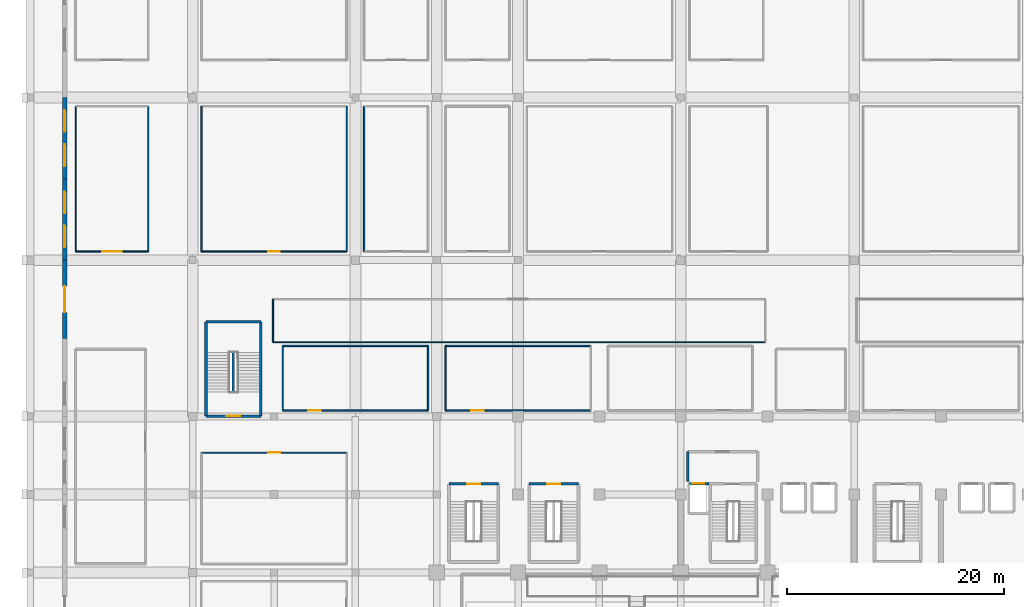
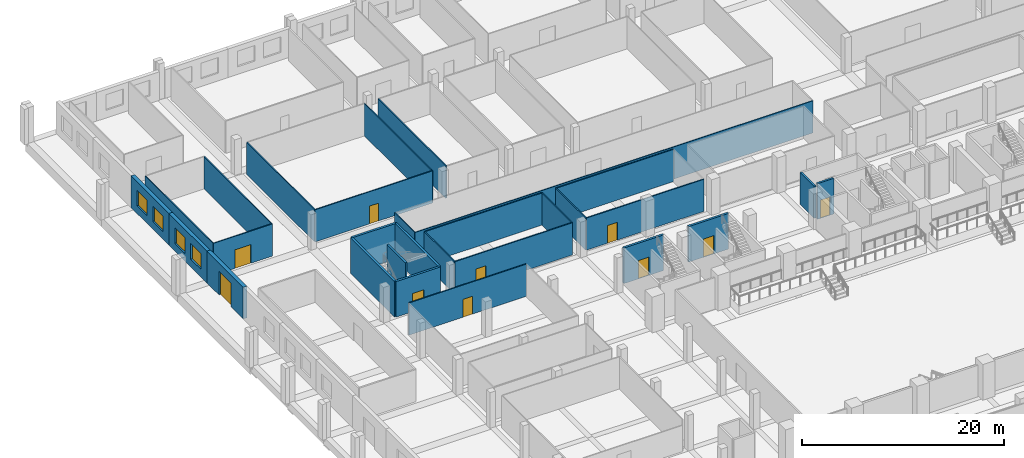
# One storey, part 16 of 33: 29 walls, 10 doors, 4 windows, 14 openings.
"""IFC4 building model written with IfcOpenShell, lengths in metres."""

from ifc_helpers import new_model, si_unit, direction, frame, frame_2d, origin, place, context, subcontext, project, spatial, rectangle, extrude, material, layer, layer_set, type_object, element, fill, save


model = new_model("IFC4")

# Units and contexts
model_context = context("Model", 3, precision=1e-05, world=origin(), true_north=direction((0.0, 1.0)))
body_context = subcontext(model_context, "Body", "Model", "MODEL_VIEW")
ifc_project = project(units=[si_unit("LENGTHUNIT", "METRE"), si_unit("AREAUNIT", "SQUARE_METRE"), si_unit("VOLUMEUNIT", "CUBIC_METRE"), si_unit("PLANEANGLEUNIT", "RADIAN"), si_unit("MASSUNIT", "GRAM", prefix="KILO")], contexts=[model_context])

# Site, building, storey
site_placement = place(None, origin())
site = spatial("IfcSite", under=ifc_project, at=site_placement, CompositionType="ELEMENT")
building_placement = place(site_placement, origin())
building = spatial("IfcBuilding", under=site, at=building_placement, Name="Akrevak Sports Hall", CompositionType="ELEMENT")
storey_placement = place(building_placement, origin())
storey = spatial("IfcBuildingStorey", under=building, at=storey_placement, Name="L00", CompositionType="ELEMENT", Elevation=0.0)

# Wall, opening, door
ifc_material_1 = material(Name="Limestone Ashlar", Category="stone")
ifc_layer_1 = layer(ifc_material_1, 0.090087890625, Name="Limestone Ashlar")
ifc_material_2 = material(Name="Mineral Wool Thermal Insulation", Category="insulation")
ifc_layer_2 = layer(ifc_material_2, 0.110107421875, Name="Mineral Wool Thermal Insulation")
ifc_material_3 = material(Name="Concrete C40/50", Category="concrete")
ifc_layer_3 = layer(ifc_material_3, 0.219970703125, Name="Concrete C40/50")
ifc_layer_set_1 = layer_set([ifc_layer_1, ifc_layer_2, ifc_layer_3], Name="Limestone Ashlar / Mineral Wool Thermal Insulation / Concrete C40/50")
wall_type_1 = type_object("IfcWallType", Name="ARC-WL-EXT-420", PredefinedType="SOLIDWALL", material=ifc_layer_set_1)
wall_1_placement = place(storey_placement, frame((3.199951171875, 84.0, 0.0), z_axis=(0.0, 0.0, 1.0), x_axis=(0.0, -1.0, 0.0)))
wall_1 = element("IfcWall", 1, at=wall_1_placement, inside=storey, type_object=wall_type_1, Name="West Boulevard Arcade Limestone Wall L00-W10", PredefinedType="SOLIDWALL", context=body_context, shape_type="SweptSolid", body=[
    extrude(rectangle(XDim=7.199951171875, YDim=0.419921875, at=frame_2d((3.60009765625, 0.0))), origin(), (0.0, 0.0, 1.0), 3.820068359375),
])
opening_1_placement = place(wall_1_placement, frame((2.39990234375, 0.0, 0.0)))
opening_1 = element("IfcOpeningElement", 2, at=opening_1_placement, cuts=wall_1, Name="Opening ED-01", PredefinedType="OPENING", context=body_context, shape_type="SweptSolid", body=[
    extrude(rectangle(XDim=2.39990234375, YDim=2.85009765625, at=frame_2d((1.199951171875, 1.425048828125))), frame((0.0, 0.221923828125, 0.0), z_axis=(0.0, -1.0, 0.0), x_axis=(1.0, 0.0, 0.0)), (0.0, 0.0, 1.0), 0.44384765625),
])
ifc_material_4 = material(Name="Anodized Bronze Aluminium & Tempered Glass", Category="aluminium")
door_type_1 = type_object("IfcDoorType", Name="ARC-DR-EXT-240x260", OperationType="DOUBLE_DOOR_SINGLE_SWING", PredefinedType="DOOR", material=ifc_material_4)
door_1_placement = place(opening_1_placement, frame((2.39990234375, 0.0, 0.0), z_axis=(0.0, 0.0, 1.0), x_axis=(-1.0, 0.0, 0.0)))
door_1 = element("IfcDoor", 3, at=door_1_placement, inside=storey, type_object=door_type_1, Name="West Boulevard North Concourse Exit ED11", OperationType="DOUBLE_DOOR_SINGLE_SWING", OverallHeight=2.85009765625, OverallWidth=2.39990234375, PredefinedType="DOOR", context=body_context, shape_type="SweptSolid", body=[
    extrude(rectangle(XDim=2.39990234375, YDim=2.85009765625, at=frame_2d((1.199951171875, 1.425048828125))), frame((0.0, 0.02490234375, 0.0), z_axis=(0.0, -1.0, 0.0), x_axis=(1.0, 0.0, 0.0)), (0.0, 0.0, 1.0), 0.050048828125),
])
fill(opening_1, door_1)

# Wall, openings, windows
wall_2_placement = place(storey_placement, frame((3.199951171875, 91.5, 0.0), z_axis=(0.0, 0.0, 1.0), x_axis=(0.0, -1.0, 0.0)))
wall_2 = element("IfcWall", 4, at=wall_2_placement, inside=storey, type_object=wall_type_1, Name="West Boulevard Arcade Limestone Wall L00-W11", PredefinedType="SOLIDWALL", context=body_context, shape_type="SweptSolid", body=[
    extrude(rectangle(XDim=7.5, YDim=0.419921875, at=frame_2d((3.75, 0.0))), origin(), (0.0, 0.0, 1.0), 3.820068359375),
])
opening_2_placement = place(wall_2_placement, frame((4.324951171875, 0.0, 0.919921875)))
opening_2 = element("IfcOpeningElement", 5, at=opening_2_placement, cuts=wall_2, Name="Opening WN-28", PredefinedType="OPENING", context=body_context, shape_type="SweptSolid", body=[
    extrude(rectangle(XDim=2.0, YDim=1.889892578125, at=frame_2d((1.0, 0.94482421875))), frame((0.0, 0.221923828125, 0.0), z_axis=(0.0, -1.0, 0.0), x_axis=(1.0, 0.0, 0.0)), (0.0, 0.0, 1.0), 0.44384765625),
])
opening_3_placement = place(wall_2_placement, frame((1.175048828125, 0.0, 0.919921875)))
opening_3 = element("IfcOpeningElement", 6, at=opening_3_placement, cuts=wall_2, Name="Opening WN-28", PredefinedType="OPENING", context=body_context, shape_type="SweptSolid", body=[
    extrude(rectangle(XDim=2.0, YDim=1.889892578125, at=frame_2d((1.0, 0.94482421875))), frame((0.0, 0.221923828125, 0.0), z_axis=(0.0, -1.0, 0.0), x_axis=(1.0, 0.0, 0.0)), (0.0, 0.0, 1.0), 0.44384765625),
])
ifc_material_5 = material(Name="Thermally Broken Bronze Frame & Double Low-E Glass", Category="glass")
window_type = type_object("IfcWindowType", Name="ARC-WIN-SZ-2000x1890", PartitioningType="SINGLE_PANEL", PredefinedType="WINDOW", material=ifc_material_5)
window_1_placement = place(opening_2_placement, origin())
window_1 = element("IfcWindow", 7, at=window_1_placement, inside=storey, type_object=window_type, Name="Beaux-Arts Facade Window WIN-L00-W11-1", OverallHeight=1.889892578125, OverallWidth=2.0, PartitioningType="SINGLE_PANEL", PredefinedType="WINDOW", context=body_context, shape_type="SweptSolid", body=[
    extrude(rectangle(XDim=2.0, YDim=1.889892578125, at=frame_2d((1.0, 0.94482421875))), frame((0.0, 0.030029296875, 0.0), z_axis=(0.0, -1.0, 0.0), x_axis=(1.0, 0.0, 0.0)), (0.0, 0.0, 1.0), 0.06005859375),
])
fill(opening_2, window_1)
window_2_placement = place(opening_3_placement, origin())
window_2 = element("IfcWindow", 8, at=window_2_placement, inside=storey, type_object=window_type, Name="Beaux-Arts Facade Window WIN-L00-W11-2", OverallHeight=1.889892578125, OverallWidth=2.0, PartitioningType="SINGLE_PANEL", PredefinedType="WINDOW", context=body_context, shape_type="SweptSolid", body=[
    extrude(rectangle(XDim=2.0, YDim=1.889892578125, at=frame_2d((1.0, 0.94482421875))), frame((0.0, 0.030029296875, 0.0), z_axis=(0.0, -1.0, 0.0), x_axis=(1.0, 0.0, 0.0)), (0.0, 0.0, 1.0), 0.06005859375),
])
fill(opening_3, window_2)

wall_3_placement = place(storey_placement, frame((3.199951171875, 99.0, 0.0), z_axis=(0.0, 0.0, 1.0), x_axis=(0.0, -1.0, 0.0)))
wall_3 = element("IfcWall", 9, at=wall_3_placement, inside=storey, type_object=wall_type_1, Name="West Boulevard Arcade Limestone Wall L00-W12", PredefinedType="SOLIDWALL", context=body_context, shape_type="SweptSolid", body=[
    extrude(rectangle(XDim=7.5, YDim=0.419921875, at=frame_2d((3.75, 0.0))), origin(), (0.0, 0.0, 1.0), 3.820068359375),
])
opening_4_placement = place(wall_3_placement, frame((4.324951171875, 0.0, 0.919921875)))
opening_4 = element("IfcOpeningElement", 10, at=opening_4_placement, cuts=wall_3, Name="Opening WN-28", PredefinedType="OPENING", context=body_context, shape_type="SweptSolid", body=[
    extrude(rectangle(XDim=2.0, YDim=1.889892578125, at=frame_2d((1.0, 0.94482421875))), frame((0.0, 0.221923828125, 0.0), z_axis=(0.0, -1.0, 0.0), x_axis=(1.0, 0.0, 0.0)), (0.0, 0.0, 1.0), 0.44384765625),
])
opening_5_placement = place(wall_3_placement, frame((1.175048828125, 0.0, 0.919921875)))
opening_5 = element("IfcOpeningElement", 11, at=opening_5_placement, cuts=wall_3, Name="Opening WN-28", PredefinedType="OPENING", context=body_context, shape_type="SweptSolid", body=[
    extrude(rectangle(XDim=2.0, YDim=1.889892578125, at=frame_2d((1.0, 0.94482421875))), frame((0.0, 0.221923828125, 0.0), z_axis=(0.0, -1.0, 0.0), x_axis=(1.0, 0.0, 0.0)), (0.0, 0.0, 1.0), 0.44384765625),
])
window_3_placement = place(opening_4_placement, origin())
window_3 = element("IfcWindow", 12, at=window_3_placement, inside=storey, type_object=window_type, Name="Beaux-Arts Facade Window WIN-L00-W12-1", OverallHeight=1.889892578125, OverallWidth=2.0, PartitioningType="SINGLE_PANEL", PredefinedType="WINDOW", context=body_context, shape_type="SweptSolid", body=[
    extrude(rectangle(XDim=2.0, YDim=1.889892578125, at=frame_2d((1.0, 0.94482421875))), frame((0.0, 0.030029296875, 0.0), z_axis=(0.0, -1.0, 0.0), x_axis=(1.0, 0.0, 0.0)), (0.0, 0.0, 1.0), 0.06005859375),
])
fill(opening_4, window_3)
window_4_placement = place(opening_5_placement, origin())
window_4 = element("IfcWindow", 13, at=window_4_placement, inside=storey, type_object=window_type, Name="Beaux-Arts Facade Window WIN-L00-W12-2", OverallHeight=1.889892578125, OverallWidth=2.0, PartitioningType="SINGLE_PANEL", PredefinedType="WINDOW", context=body_context, shape_type="SweptSolid", body=[
    extrude(rectangle(XDim=2.0, YDim=1.889892578125, at=frame_2d((1.0, 0.94482421875))), frame((0.0, 0.030029296875, 0.0), z_axis=(0.0, -1.0, 0.0), x_axis=(1.0, 0.0, 0.0)), (0.0, 0.0, 1.0), 0.06005859375),
])
fill(opening_5, window_4)

# Walls
ifc_material_6 = material(Name="Sanitary Cubicle Partition", Category="gypsum")
ifc_layer_4 = layer(ifc_material_6, 0.10009765625, Name="Sanitary Cubicle Partition")
ifc_layer_set_2 = layer_set([ifc_layer_4], Name="Sanitary Cubicle Partition")
wall_type_2 = type_object("IfcWallType", Name="ARC-WL-PRT-100", PredefinedType="PARTITIONING", material=ifc_layer_set_2)
wall_4_placement = place(storey_placement, frame((22.39990234375, 76.449951171875, 0.0), z_axis=(0.0, 0.0, 1.0), x_axis=(1.0, 0.0, 0.0)))
element("IfcWall", 14, at=wall_4_placement, inside=storey, type_object=wall_type_2, Name="Interior Partition North Athletes Gear & Kit Storage L00-1 (S)", PredefinedType="PARTITIONING", context=body_context, shape_type="SweptSolid", body=[
    extrude(rectangle(XDim=45.400146484375, YDim=0.10009765625, at=frame_2d((22.7001953125, 0.0))), origin(), (0.0, 0.0, 1.0), 3.8798828125),
])
wall_5_placement = place(storey_placement, frame((22.39990234375, 76.449951171875, 0.0), z_axis=(0.0, 0.0, 1.0), x_axis=(0.0, 1.0, 0.0)))
element("IfcWall", 15, at=wall_5_placement, inside=storey, type_object=wall_type_2, Name="Interior Partition North Athletes Gear & Kit Storage L00-1 (W)", PredefinedType="PARTITIONING", context=body_context, shape_type="SweptSolid", body=[
    extrude(rectangle(XDim=3.949951171875, YDim=0.10009765625, at=frame_2d((1.97509765625, 0.0))), origin(), (0.0, 0.0, 1.0), 3.8798828125),
])

# Wall, opening, door
ifc_material_7 = material(Name="Lightweight Office Partition", Category="gypsum")
ifc_layer_5 = layer(ifc_material_7, 0.110107421875, Name="Lightweight Office Partition")
ifc_layer_set_3 = layer_set([ifc_layer_5], Name="Lightweight Office Partition")
wall_type_3 = type_object("IfcWallType", Name="ARC-WL-PRT-110", PredefinedType="PARTITIONING", material=ifc_layer_set_3)
wall_6_placement = place(storey_placement, frame((4.199951171875, 84.800048828125, 0.0), z_axis=(0.0, 0.0, 1.0), x_axis=(1.0, 0.0, 0.0)))
wall_6 = element("IfcWall", 16, at=wall_6_placement, inside=storey, type_object=wall_type_3, Name="Interior Partition Athletic Gear & Equipment Storage L00-1 (S)", PredefinedType="PARTITIONING", context=body_context, shape_type="SweptSolid", body=[
    extrude(rectangle(XDim=6.699951171875, YDim=0.110107421875, at=frame_2d((3.35009765625, 0.0))), origin(), (0.0, 0.0, 1.0), 3.8798828125),
])
opening_6_placement = place(wall_6_placement, frame((2.449951171875, 0.0, 0.0)))
opening_6 = element("IfcOpeningElement", 17, at=opening_6_placement, cuts=wall_6, Name="Opening ID-02", PredefinedType="OPENING", context=body_context, shape_type="SweptSolid", body=[
    extrude(rectangle(XDim=1.800048828125, YDim=2.25, at=frame_2d((0.89990234375, 1.125))), frame((0.0, 0.06689453125, 0.0), z_axis=(0.0, -1.0, 0.0), x_axis=(1.0, 0.0, 0.0)), (0.0, 0.0, 1.0), 0.134033203125),
])
ifc_material_8 = material(Name="Hardwood Oak & Safety Glass", Category="wood")
door_type_2 = type_object("IfcDoorType", Name="ARC-DR-HALL-180x225", OperationType="DOUBLE_DOOR_SINGLE_SWING", PredefinedType="DOOR", material=ifc_material_8)
door_2_placement = place(opening_6_placement, origin())
door_2 = element("IfcDoor", 18, at=door_2_placement, inside=storey, type_object=door_type_2, Name="Door to Athletic Gear & Equipment Storage L00-1", OperationType="DOUBLE_DOOR_SINGLE_SWING", OverallHeight=2.25, OverallWidth=1.800048828125, PredefinedType="DOOR", context=body_context, shape_type="SweptSolid", body=[
    extrude(rectangle(XDim=1.800048828125, YDim=2.25, at=frame_2d((0.89990234375, 1.125))), frame((0.0, 0.02490234375, 0.0), z_axis=(0.0, -1.0, 0.0), x_axis=(1.0, 0.0, 0.0)), (0.0, 0.0, 1.0), 0.050048828125),
])
fill(opening_6, door_2)

# Walls
for number, where, z_axis, x_axis, name in (
    (19, (4.199951171875, 84.800048828125, 0.0), (0.0, 0.0, 1.0), (0.0, 1.0, 0.0), "Interior Partition Athletic Gear & Equipment Storage L00-1 (W)"),
    (20, (10.89990234375, 84.800048828125, 0.0), (0.0, 0.0, 1.0), (0.0, 1.0, 0.0), "Interior Partition Athletic Gear & Equipment Storage L00-1 (E)"),
):
    element("IfcWall", number, at=place(storey_placement, frame(where, z_axis=z_axis, x_axis=x_axis)), inside=storey, type_object=wall_type_3, Name=name, PredefinedType="PARTITIONING", context=body_context, shape_type="SweptSolid", body=[
        extrude(rectangle(XDim=13.39990234375, YDim=0.110107421875, at=frame_2d((6.699951171875, 0.0))), origin(), (0.0, 0.0, 1.0), 3.8798828125),
    ])

# Wall, opening, door
ifc_material_9 = material(Name="Standard Metal Stud Partition", Category="gypsum")
ifc_layer_6 = layer(ifc_material_9, 0.1201171875, Name="Standard Metal Stud Partition")
ifc_layer_set_4 = layer_set([ifc_layer_6], Name="Standard Metal Stud Partition")
wall_type_4 = type_object("IfcWallType", Name="ARC-WL-PRT-120", PredefinedType="PARTITIONING", material=ifc_layer_set_4)
wall_7_placement = place(storey_placement, frame((15.800048828125, 84.800048828125, 0.0), z_axis=(0.0, 0.0, 1.0), x_axis=(1.0, 0.0, 0.0)))
wall_7 = element("IfcWall", 21, at=wall_7_placement, inside=storey, type_object=wall_type_4, Name="Interior Partition Sports Federation Training Office L00-2 (S)", PredefinedType="PARTITIONING", context=body_context, shape_type="SweptSolid", body=[
    extrude(rectangle(XDim=13.39990234375, YDim=0.1201171875, at=frame_2d((6.699951171875, 0.0))), origin(), (0.0, 0.0, 1.0), 3.8798828125),
])
opening_7_placement = place(wall_7_placement, frame((6.175048828125, 0.0, 0.0)))
opening_7 = element("IfcOpeningElement", 22, at=opening_7_placement, cuts=wall_7, Name="Opening ID-05", PredefinedType="OPENING", context=body_context, shape_type="SweptSolid", body=[
    extrude(rectangle(XDim=1.050048828125, YDim=2.14990234375, at=frame_2d((0.52490234375, 1.074951171875))), frame((0.0, 0.072021484375, 0.0), z_axis=(0.0, -1.0, 0.0), x_axis=(1.0, 0.0, 0.0)), (0.0, 0.0, 1.0), 0.14404296875),
])
ifc_material_10 = material(Name="Hardwood Oak Acoustic Leaf", Category="wood")
door_type_3 = type_object("IfcDoorType", Name="ARC-DR-OFF-105x215", OperationType="NOTDEFINED", PredefinedType="DOOR", material=ifc_material_10)
door_3_placement = place(opening_7_placement, frame((1.050048828125, 0.0, 0.0), z_axis=(0.0, 0.0, 1.0), x_axis=(-1.0, 0.0, 0.0)))
door_3 = element("IfcDoor", 23, at=door_3_placement, inside=storey, type_object=door_type_3, Name="Door to Sports Federation Training Office L00-2", OperationType="SINGLE_SWING_RIGHT", OverallHeight=2.14990234375, OverallWidth=1.050048828125, PredefinedType="DOOR", context=body_context, shape_type="SweptSolid", body=[
    extrude(rectangle(XDim=1.050048828125, YDim=2.14990234375, at=frame_2d((0.52490234375, 1.074951171875))), frame((0.0, 0.02490234375, 0.0), z_axis=(0.0, -1.0, 0.0), x_axis=(1.0, 0.0, 0.0)), (0.0, 0.0, 1.0), 0.050048828125),
])
fill(opening_7, door_3)

# Walls
for number, where, z_axis, x_axis, name in (
    (24, (15.800048828125, 84.800048828125, 0.0), (0.0, 0.0, 1.0), (0.0, 1.0, 0.0), "Interior Partition Sports Federation Training Office L00-2 (W)"),
    (25, (29.199951171875, 84.800048828125, 0.0), (0.0, 0.0, 1.0), (0.0, 1.0, 0.0), "Interior Partition Sports Federation Training Office L00-2 (E)"),
):
    element("IfcWall", number, at=place(storey_placement, frame(where, z_axis=z_axis, x_axis=x_axis)), inside=storey, type_object=wall_type_4, Name=name, PredefinedType="PARTITIONING", context=body_context, shape_type="SweptSolid", body=[
        extrude(rectangle(XDim=13.39990234375, YDim=0.1201171875, at=frame_2d((6.699951171875, 0.0))), origin(), (0.0, 0.0, 1.0), 3.8798828125),
    ])

# Wall, opening, door
wall_8_placement = place(storey_placement, frame((15.800048828125, 66.25, 0.0), z_axis=(0.0, 0.0, 1.0), x_axis=(1.0, 0.0, 0.0)))
wall_8 = element("IfcWall", 26, at=wall_8_placement, inside=storey, type_object=wall_type_4, Name="Interior Partition West Athletes Preparation Office L00 (N)", PredefinedType="PARTITIONING", context=body_context, shape_type="SweptSolid", body=[
    extrude(rectangle(XDim=13.39990234375, YDim=0.1201171875, at=frame_2d((6.699951171875, 0.0))), origin(), (0.0, 0.0, 1.0), 3.8798828125),
])
opening_8_placement = place(wall_8_placement, frame((6.14990234375, 0.0, 0.0)))
opening_8 = element("IfcOpeningElement", 27, at=opening_8_placement, cuts=wall_8, Name="Opening ID-04", PredefinedType="OPENING", context=body_context, shape_type="SweptSolid", body=[
    extrude(rectangle(XDim=1.10009765625, YDim=2.14990234375, at=frame_2d((0.550048828125, 1.074951171875))), frame((0.0, 0.072021484375, 0.0), z_axis=(0.0, -1.0, 0.0), x_axis=(1.0, 0.0, 0.0)), (0.0, 0.0, 1.0), 0.14404296875),
])
door_type_4 = type_object("IfcDoorType", Name="ARC-DR-OFF-110x215", OperationType="NOTDEFINED", PredefinedType="DOOR", material=ifc_material_10)
door_4_placement = place(opening_8_placement, origin())
door_4 = element("IfcDoor", 28, at=door_4_placement, inside=storey, type_object=door_type_4, Name="Door to West Athletes Preparation Office L00", OperationType="SINGLE_SWING_LEFT", OverallHeight=2.14990234375, OverallWidth=1.10009765625, PredefinedType="DOOR", context=body_context, shape_type="SweptSolid", body=[
    extrude(rectangle(XDim=1.10009765625, YDim=2.14990234375, at=frame_2d((0.550048828125, 1.074951171875))), frame((0.0, 0.02490234375, 0.0), z_axis=(0.0, -1.0, 0.0), x_axis=(1.0, 0.0, 0.0)), (0.0, 0.0, 1.0), 0.050048828125),
])
fill(opening_8, door_4)

ifc_material_11 = material(Name="Acoustic Metal Stud Partition", Category="gypsum")
ifc_layer_7 = layer(ifc_material_11, 0.1298828125, Name="Acoustic Metal Stud Partition")
ifc_layer_set_5 = layer_set([ifc_layer_7], Name="Acoustic Metal Stud Partition")
wall_type_5 = type_object("IfcWallType", Name="ARC-WL-PRT-130", PredefinedType="PARTITIONING", material=ifc_layer_set_5)
wall_9_placement = place(storey_placement, frame((23.300048828125, 70.14990234375, 0.0), z_axis=(0.0, 0.0, 1.0), x_axis=(1.0, 0.0, 0.0)))
wall_9 = element("IfcWall", 29, at=wall_9_placement, inside=storey, type_object=wall_type_5, Name="Interior Partition Changing Room 1 - Home Team A (S)", PredefinedType="PARTITIONING", context=body_context, shape_type="SweptSolid", body=[
    extrude(rectangle(XDim=13.39990234375, YDim=0.1298828125, at=frame_2d((6.699951171875, 0.0))), origin(), (0.0, 0.0, 1.0), 3.8798828125),
])
opening_9_placement = place(wall_9_placement, frame((2.375, 0.0, 0.0)))
opening_9 = element("IfcOpeningElement", 30, at=opening_9_placement, cuts=wall_9, Name="Opening ID-07", PredefinedType="OPENING", context=body_context, shape_type="SweptSolid", body=[
    extrude(rectangle(XDim=1.14990234375, YDim=2.14990234375, at=frame_2d((0.574951171875, 1.074951171875))), frame((0.0, 0.076904296875, 0.0), z_axis=(0.0, -1.0, 0.0), x_axis=(1.0, 0.0, 0.0)), (0.0, 0.0, 1.0), 0.15380859375),
])
ifc_material_12 = material(Name="High-Pressure Laminate & Aluminium", Category="aluminium")
door_type_5 = type_object("IfcDoorType", Name="ARC-DR-CHG-115x215", OperationType="NOTDEFINED", PredefinedType="DOOR", material=ifc_material_12)
door_5_placement = place(opening_9_placement, frame((1.14990234375, 0.0, 0.0), z_axis=(0.0, 0.0, 1.0), x_axis=(-1.0, 0.0, 0.0)))
door_5 = element("IfcDoor", 31, at=door_5_placement, inside=storey, type_object=door_type_5, Name="Door to Changing Room 1 - Home Team A", OperationType="SINGLE_SWING_RIGHT", OverallHeight=2.14990234375, OverallWidth=1.14990234375, PredefinedType="DOOR", context=body_context, shape_type="SweptSolid", body=[
    extrude(rectangle(XDim=1.14990234375, YDim=2.14990234375, at=frame_2d((0.574951171875, 1.074951171875))), frame((0.0, 0.02490234375, 0.0), z_axis=(0.0, -1.0, 0.0), x_axis=(1.0, 0.0, 0.0)), (0.0, 0.0, 1.0), 0.050048828125),
])
fill(opening_9, door_5)

# Walls
wall_10_placement = place(storey_placement, frame((23.300048828125, 76.10009765625, 0.0), z_axis=(0.0, 0.0, 1.0), x_axis=(1.0, 0.0, 0.0)))
element("IfcWall", 32, at=wall_10_placement, inside=storey, type_object=wall_type_5, Name="Interior Partition Changing Room 1 - Home Team A (N)", PredefinedType="PARTITIONING", context=body_context, shape_type="SweptSolid", body=[
    extrude(rectangle(XDim=13.39990234375, YDim=0.1298828125, at=frame_2d((6.699951171875, 0.0))), origin(), (0.0, 0.0, 1.0), 3.8798828125),
])
for number, where, z_axis, x_axis, name in (
    (33, (23.300048828125, 70.14990234375, 0.0), (0.0, 0.0, 1.0), (0.0, 1.0, 0.0), "Interior Partition Changing Room 1 - Home Team A (W)"),
    (34, (36.699951171875, 70.14990234375, 0.0), (0.0, 0.0, 1.0), (0.0, 1.0, 0.0), "Interior Partition Changing Room 1 - Home Team A (E)"),
):
    element("IfcWall", number, at=place(storey_placement, frame(where, z_axis=z_axis, x_axis=x_axis)), inside=storey, type_object=wall_type_5, Name=name, PredefinedType="PARTITIONING", context=body_context, shape_type="SweptSolid", body=[
        extrude(rectangle(XDim=5.9501953125, YDim=0.1298828125, at=frame_2d((2.97509765625, 0.0))), origin(), (0.0, 0.0, 1.0), 3.8798828125),
    ])

# Wall, opening, door
wall_11_placement = place(storey_placement, frame((38.300048828125, 70.14990234375, 0.0), z_axis=(0.0, 0.0, 1.0), x_axis=(1.0, 0.0, 0.0)))
wall_11 = element("IfcWall", 35, at=wall_11_placement, inside=storey, type_object=wall_type_5, Name="Interior Partition Changing Room 2 - Away Team A (S)", PredefinedType="PARTITIONING", context=body_context, shape_type="SweptSolid", body=[
    extrude(rectangle(XDim=13.39990234375, YDim=0.1298828125, at=frame_2d((6.699951171875, 0.0))), origin(), (0.0, 0.0, 1.0), 3.8798828125),
])
opening_10_placement = place(wall_11_placement, frame((2.375, 0.0, 0.0)))
opening_10 = element("IfcOpeningElement", 36, at=opening_10_placement, cuts=wall_11, Name="Opening ID-07", PredefinedType="OPENING", context=body_context, shape_type="SweptSolid", body=[
    extrude(rectangle(XDim=1.14990234375, YDim=2.14990234375, at=frame_2d((0.574951171875, 1.074951171875))), frame((0.0, 0.076904296875, 0.0), z_axis=(0.0, -1.0, 0.0), x_axis=(1.0, 0.0, 0.0)), (0.0, 0.0, 1.0), 0.15380859375),
])
door_6_placement = place(opening_10_placement, origin())
door_6 = element("IfcDoor", 37, at=door_6_placement, inside=storey, type_object=door_type_5, Name="Door to Changing Room 2 - Away Team A", OperationType="SINGLE_SWING_LEFT", OverallHeight=2.14990234375, OverallWidth=1.14990234375, PredefinedType="DOOR", context=body_context, shape_type="SweptSolid", body=[
    extrude(rectangle(XDim=1.14990234375, YDim=2.14990234375, at=frame_2d((0.574951171875, 1.074951171875))), frame((0.0, 0.02490234375, 0.0), z_axis=(0.0, -1.0, 0.0), x_axis=(1.0, 0.0, 0.0)), (0.0, 0.0, 1.0), 0.050048828125),
])
fill(opening_10, door_6)

# Walls
wall_12_placement = place(storey_placement, frame((38.300048828125, 76.10009765625, 0.0), z_axis=(0.0, 0.0, 1.0), x_axis=(1.0, 0.0, 0.0)))
element("IfcWall", 38, at=wall_12_placement, inside=storey, type_object=wall_type_5, Name="Interior Partition Changing Room 2 - Away Team A (N)", PredefinedType="PARTITIONING", context=body_context, shape_type="SweptSolid", body=[
    extrude(rectangle(XDim=13.39990234375, YDim=0.1298828125, at=frame_2d((6.699951171875, 0.0))), origin(), (0.0, 0.0, 1.0), 3.8798828125),
])
wall_13_placement = place(storey_placement, frame((38.300048828125, 70.14990234375, 0.0), z_axis=(0.0, 0.0, 1.0), x_axis=(0.0, 1.0, 0.0)))
element("IfcWall", 39, at=wall_13_placement, inside=storey, type_object=wall_type_5, Name="Interior Partition Changing Room 2 - Away Team A (W)", PredefinedType="PARTITIONING", context=body_context, shape_type="SweptSolid", body=[
    extrude(rectangle(XDim=5.9501953125, YDim=0.1298828125, at=frame_2d((2.97509765625, 0.0))), origin(), (0.0, 0.0, 1.0), 3.8798828125),
])
wall_14_placement = place(storey_placement, frame((30.800048828125, 84.800048828125, 0.0), z_axis=(0.0, 0.0, 1.0), x_axis=(0.0, 1.0, 0.0)))
element("IfcWall", 40, at=wall_14_placement, inside=storey, type_object=wall_type_5, Name="Interior Partition Sports Clinic Recovery & Physiotherapy Room L00-3 (W)", PredefinedType="PARTITIONING", context=body_context, shape_type="SweptSolid", body=[
    extrude(rectangle(XDim=13.39990234375, YDim=0.1298828125, at=frame_2d((6.699951171875, 0.0))), origin(), (0.0, 0.0, 1.0), 3.8798828125),
])
ifc_layer_8 = layer(ifc_material_3, 0.219970703125, Name="Concrete C40/50")
ifc_layer_set_6 = layer_set([ifc_layer_8], Name="Concrete C40/50")
wall_type_6 = type_object("IfcWallType", Name="ARC-WL-PRT-220", PredefinedType="PARTITIONING", material=ifc_layer_set_6)
wall_15_placement = place(storey_placement, frame((18.75, 71.85009765625, 0.0), z_axis=(0.0, 0.0, 1.0), x_axis=(0.0, 1.0, 0.0)))
element("IfcWall", 41, at=wall_15_placement, inside=storey, type_object=wall_type_6, Name="Stair ST6 Central Spine Wall (L00)", PredefinedType="PARTITIONING", context=body_context, shape_type="SweptSolid", body=[
    extrude(rectangle(XDim=3.639892578125, YDim=0.219970703125, at=frame_2d((1.81982421875, 0.0))), origin(), (0.0, 0.0, 1.0), 4.300048828125),
])
wall_16_placement = place(storey_placement, frame((60.64990234375, 63.60009765625, 0.0), z_axis=(0.0, 0.0, 1.0), x_axis=(0.0, 1.0, 0.0)))
element("IfcWall", 42, at=wall_16_placement, inside=storey, type_object=wall_type_6, Name="Interior Partition Firefighting Lobby West L00 (W)", PredefinedType="PARTITIONING", context=body_context, shape_type="SweptSolid", body=[
    extrude(rectangle(XDim=2.75, YDim=0.219970703125, at=frame_2d((1.375, 0.0))), origin(), (0.0, 0.0, 1.0), 3.8798828125),
])

# Wall, opening, door
ifc_material_13 = material(Name="Concrete C50/60", Category="concrete")
ifc_layer_9 = layer(ifc_material_13, 0.219970703125, Name="Concrete C50/60")
ifc_layer_set_7 = layer_set([ifc_layer_9], Name="Concrete C50/60")
wall_type_7 = type_object("IfcWallType", Name="ARC-WL-SHAFT-220", PredefinedType="SHEAR", material=ifc_layer_set_7)
wall_17_placement = place(storey_placement, frame((62.60009765625, 63.389892578125, 0.0), z_axis=(0.0, 0.0, 1.0), x_axis=(-1.0, 0.0, 0.0)))
wall_17 = element("IfcWall", 43, at=wall_17_placement, inside=storey, type_object=wall_type_7, Name="Lift Shaft LF-FF1 Wall N (L00)", PredefinedType="SHEAR", context=body_context, shape_type="SweptSolid", body=[
    extrude(rectangle(XDim=1.840087890625, YDim=0.219970703125, at=frame_2d((0.919921875, 0.0))), origin(), (0.0, 0.0, 1.0), 4.300048828125),
])
opening_11_placement = place(wall_17_placement, frame((0.425048828125, 0.0, 0.0)))
opening_11 = element("IfcOpeningElement", 44, at=opening_11_placement, cuts=wall_17, Name="Opening LD-01", PredefinedType="OPENING", context=body_context, shape_type="SweptSolid", body=[
    extrude(rectangle(XDim=1.10009765625, YDim=2.199951171875, at=frame_2d((0.550048828125, 1.10009765625))), frame((0.0, 0.1220703125, 0.0), z_axis=(0.0, -1.0, 0.0), x_axis=(1.0, 0.0, 0.0)), (0.0, 0.0, 1.0), 0.243896484375),
])
ifc_material_14 = material(Name="Brushed Stainless Steel 304", Category="steel")
door_type_6 = type_object("IfcDoorType", Name="ARC-DR-LD-110x220", OperationType="SLIDING_TO_LEFT", PredefinedType="DOOR", material=ifc_material_14)
door_7_placement = place(opening_11_placement, origin())
door_7 = element("IfcDoor", 45, at=door_7_placement, inside=storey, type_object=door_type_6, Name="Lift LF-FF1 Sliding Landing Door (L00)", OperationType="SLIDING_TO_LEFT", OverallHeight=2.199951171875, OverallWidth=1.10009765625, PredefinedType="DOOR", context=body_context, shape_type="SweptSolid", body=[
    extrude(rectangle(XDim=1.10009765625, YDim=2.199951171875, at=frame_2d((0.550048828125, 1.10009765625))), frame((0.0, 0.02490234375, 0.0), z_axis=(0.0, -1.0, 0.0), x_axis=(1.0, 0.0, 0.0)), (0.0, 0.0, 1.0), 0.050048828125),
])
fill(opening_11, door_7)

ifc_layer_10 = layer(ifc_material_13, 0.25, Name="Concrete C50/60")
ifc_layer_set_8 = layer_set([ifc_layer_10], Name="Concrete C50/60")
wall_type_8 = type_object("IfcWallType", Name="STR-WL-STAIR-250", PredefinedType="SHEAR", material=ifc_layer_set_8)
wall_18_placement = place(storey_placement, frame((50.574951171875, 63.375, 0.0), z_axis=(0.0, 0.0, 1.0), x_axis=(-1.0, 0.0, 0.0)))
wall_18 = element("IfcWall", 46, at=wall_18_placement, inside=storey, type_object=wall_type_8, Name="Stair Core ST4 Shear Wall N (L00)", PredefinedType="SHEAR", context=body_context, shape_type="SweptSolid", body=[
    extrude(rectangle(XDim=4.550048828125, YDim=0.25, at=frame_2d((2.27490234375, 0.0))), origin(), (0.0, 0.0, 1.0), 4.300048828125),
])
opening_12_placement = place(wall_18_placement, frame((1.675048828125, 0.0, 0.0)))
opening_12 = element("IfcOpeningElement", 47, at=opening_12_placement, cuts=wall_18, Name="Opening SD-02", PredefinedType="OPENING", context=body_context, shape_type="SweptSolid", body=[
    extrude(rectangle(XDim=1.199951171875, YDim=2.199951171875, at=frame_2d((0.60009765625, 1.10009765625))), frame((0.0, 0.136962890625, 0.0), z_axis=(0.0, -1.0, 0.0), x_axis=(1.0, 0.0, 0.0)), (0.0, 0.0, 1.0), 0.27392578125),
])
ifc_material_15 = material(Name="Fire-Rated Galvanized Door Steel", Category="steel")
door_type_7 = type_object("IfcDoorType", Name="ARC-DR-STAIR-120x220", OperationType="NOTDEFINED", PredefinedType="DOOR", material=ifc_material_15)
door_8_placement = place(opening_12_placement, frame((1.199951171875, 0.0, 0.0), z_axis=(0.0, 0.0, 1.0), x_axis=(-1.0, 0.0, 0.0)))
door_8 = element("IfcDoor", 48, at=door_8_placement, inside=storey, type_object=door_type_7, Name="Exit Stair ST4 Door (L00)", OperationType="SINGLE_SWING_LEFT", OverallHeight=2.199951171875, OverallWidth=1.199951171875, PredefinedType="DOOR", context=body_context, shape_type="SweptSolid", body=[
    extrude(rectangle(XDim=1.199951171875, YDim=2.199951171875, at=frame_2d((0.60009765625, 1.10009765625))), frame((0.0, 0.02490234375, 0.0), z_axis=(0.0, -1.0, 0.0), x_axis=(1.0, 0.0, 0.0)), (0.0, 0.0, 1.0), 0.050048828125),
])
fill(opening_12, door_8)

wall_19_placement = place(storey_placement, frame((16.22509765625, 69.625, 0.0), z_axis=(0.0, 0.0, 1.0), x_axis=(1.0, 0.0, 0.0)))
wall_19 = element("IfcWall", 49, at=wall_19_placement, inside=storey, type_object=wall_type_8, Name="Stair Core ST6 Shear Wall S (L00)", PredefinedType="SHEAR", context=body_context, shape_type="SweptSolid", body=[
    extrude(rectangle(XDim=5.0498046875, YDim=0.25, at=frame_2d((2.52490234375, 0.0))), origin(), (0.0, 0.0, 1.0), 4.300048828125),
])
opening_13_placement = place(wall_19_placement, frame((1.875, 0.0, 0.0)))
opening_13 = element("IfcOpeningElement", 50, at=opening_13_placement, cuts=wall_19, Name="Opening SD-01", PredefinedType="OPENING", context=body_context, shape_type="SweptSolid", body=[
    extrude(rectangle(XDim=1.300048828125, YDim=2.199951171875, at=frame_2d((0.64990234375, 1.10009765625))), frame((0.0, 0.136962890625, 0.0), z_axis=(0.0, -1.0, 0.0), x_axis=(1.0, 0.0, 0.0)), (0.0, 0.0, 1.0), 0.27392578125),
])
door_type_8 = type_object("IfcDoorType", Name="ARC-DR-STAIR-130x220", OperationType="NOTDEFINED", PredefinedType="DOOR", material=ifc_material_15)
door_9_placement = place(opening_13_placement, frame((1.300048828125, 0.0, 0.0), z_axis=(0.0, 0.0, 1.0), x_axis=(-1.0, 0.0, 0.0)))
door_9 = element("IfcDoor", 51, at=door_9_placement, inside=storey, type_object=door_type_8, Name="Exit Stair ST6 Door (L00)", OperationType="SINGLE_SWING_LEFT", OverallHeight=2.199951171875, OverallWidth=1.300048828125, PredefinedType="DOOR", context=body_context, shape_type="SweptSolid", body=[
    extrude(rectangle(XDim=1.300048828125, YDim=2.199951171875, at=frame_2d((0.64990234375, 1.10009765625))), frame((0.0, 0.02490234375, 0.0), z_axis=(0.0, -1.0, 0.0), x_axis=(1.0, 0.0, 0.0)), (0.0, 0.0, 1.0), 0.050048828125),
])
fill(opening_13, door_9)

# Walls
wall_20_placement = place(storey_placement, frame((21.27490234375, 78.324951171875, 0.0), z_axis=(0.0, 0.0, 1.0), x_axis=(-1.0, 0.0, 0.0)))
element("IfcWall", 52, at=wall_20_placement, inside=storey, type_object=wall_type_8, Name="Stair Core ST6 Shear Wall N (L00)", PredefinedType="SHEAR", context=body_context, shape_type="SweptSolid", body=[
    extrude(rectangle(XDim=5.0498046875, YDim=0.25, at=frame_2d((2.52490234375, 0.0))), origin(), (0.0, 0.0, 1.0), 4.300048828125),
])
for number, where, z_axis, x_axis, name in (
    (53, (16.22509765625, 78.324951171875, 0.0), (0.0, 0.0, 1.0), (0.0, -1.0, 0.0), "Stair Core ST6 Shear Wall W (L00)"),
    (54, (21.27490234375, 69.625, 0.0), (0.0, 0.0, 1.0), (0.0, 1.0, 0.0), "Stair Core ST6 Shear Wall E (L00)"),
):
    element("IfcWall", number, at=place(storey_placement, frame(where, z_axis=z_axis, x_axis=x_axis)), inside=storey, type_object=wall_type_8, Name=name, PredefinedType="SHEAR", context=body_context, shape_type="SweptSolid", body=[
        extrude(rectangle(XDim=8.699951171875, YDim=0.25, at=frame_2d((4.35009765625, 0.0))), origin(), (0.0, 0.0, 1.0), 4.300048828125),
    ])

# Wall, opening, door
wall_21_placement = place(storey_placement, frame((43.175048828125, 63.375, 0.0), z_axis=(0.0, 0.0, 1.0), x_axis=(-1.0, 0.0, 0.0)))
wall_21 = element("IfcWall", 55, at=wall_21_placement, inside=storey, type_object=wall_type_8, Name="Stair Core ST9 Shear Wall N (L00)", PredefinedType="SHEAR", context=body_context, shape_type="SweptSolid", body=[
    extrude(rectangle(XDim=4.550048828125, YDim=0.25, at=frame_2d((2.27490234375, 0.0))), origin(), (0.0, 0.0, 1.0), 4.300048828125),
])
opening_14_placement = place(wall_21_placement, frame((1.675048828125, 0.0, 0.0)))
opening_14 = element("IfcOpeningElement", 56, at=opening_14_placement, cuts=wall_21, Name="Opening SD-02", PredefinedType="OPENING", context=body_context, shape_type="SweptSolid", body=[
    extrude(rectangle(XDim=1.199951171875, YDim=2.199951171875, at=frame_2d((0.60009765625, 1.10009765625))), frame((0.0, 0.136962890625, 0.0), z_axis=(0.0, -1.0, 0.0), x_axis=(1.0, 0.0, 0.0)), (0.0, 0.0, 1.0), 0.27392578125),
])
door_10_placement = place(opening_14_placement, frame((1.199951171875, 0.0, 0.0), z_axis=(0.0, 0.0, 1.0), x_axis=(-1.0, 0.0, 0.0)))
door_10 = element("IfcDoor", 57, at=door_10_placement, inside=storey, type_object=door_type_7, Name="Exit Stair ST9 Door (L00)", OperationType="SINGLE_SWING_RIGHT", OverallHeight=2.199951171875, OverallWidth=1.199951171875, PredefinedType="DOOR", context=body_context, shape_type="SweptSolid", body=[
    extrude(rectangle(XDim=1.199951171875, YDim=2.199951171875, at=frame_2d((0.60009765625, 1.10009765625))), frame((0.0, 0.02490234375, 0.0), z_axis=(0.0, -1.0, 0.0), x_axis=(1.0, 0.0, 0.0)), (0.0, 0.0, 1.0), 0.050048828125),
])
fill(opening_14, door_10)

save(model, "model.ifc")
